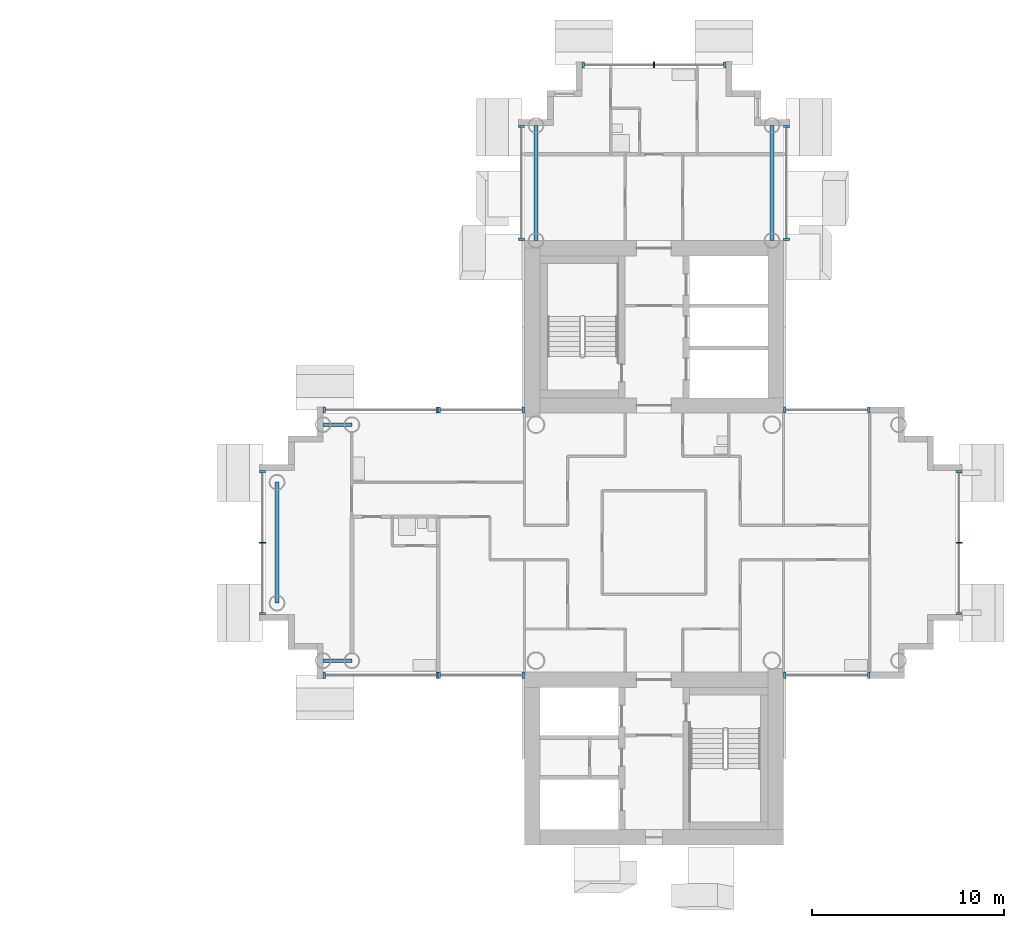
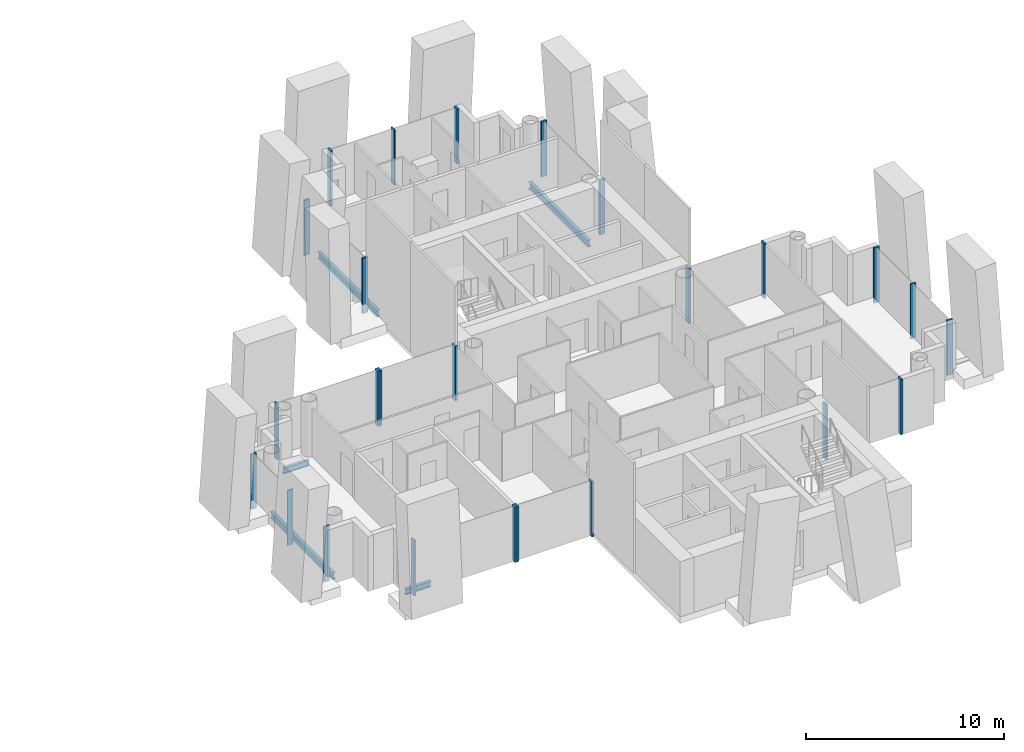
# One storey, part 4 of 19: 25 members, 5 beams, 11 elements without a shape of their own.
"""IFC4 building model written with IfcOpenShell, lengths in metres."""

from ifc_helpers import new_model, si_unit, direction, frame, origin, origin_2d, place, context, subcontext, project, spatial, rectangle, i_section, extrude, material, layer, layer_set, material_profile, profile_set, type_object, element, aggregate, save


model = new_model("IFC4")

# Units and contexts
model_context = context("Model", 3, precision=1e-05, world=origin(), true_north=direction((0.0, 1.0)))
body_context = subcontext(model_context, "Body", "Model", "MODEL_VIEW")
ifc_project = project(units=[si_unit("LENGTHUNIT", "METRE"), si_unit("AREAUNIT", "SQUARE_METRE"), si_unit("VOLUMEUNIT", "CUBIC_METRE"), si_unit("PLANEANGLEUNIT", "RADIAN"), si_unit("MASSUNIT", "GRAM", prefix="KILO")], contexts=[model_context])

# Site, building, storey
site_placement = place(None, origin())
site = spatial("IfcSite", under=ifc_project, at=site_placement, CompositionType="ELEMENT")
building_placement = place(site_placement, origin())
building = spatial("IfcBuilding", under=site, at=building_placement, Name="Ipe Terrace Towers", CompositionType="ELEMENT")
storey_placement = place(building_placement, frame((0.0, 0.0, 137.10009765625)))
storey = spatial("IfcBuildingStorey", under=building, at=storey_placement, Name="L37", CompositionType="ELEMENT", Elevation=137.10009765625)

# Beams
ifc_material_1 = material(Name="Steel S355", Category="steel")
ifc_material_profile_1 = material_profile(ifc_material_1, i_section(OverallWidth=0.175048828125, OverallDepth=0.35009765625, WebThickness=0.007080078125, FlangeThickness=0.010986328125, at=origin_2d()), Name="H-350x175x7x11")
ifc_profile_set_1 = profile_set([ifc_material_profile_1], Name="Steel S355")
beam_type_1 = type_object("IfcBeamType", Name="H04 EDGE BEAM H-350x175x7x11", PredefinedType="BEAM", material=ifc_profile_set_1)
for number, where, z_axis, x_axis, name in (
    (1, (20.25, 6.14990234375, -0.5751953125), (-1.0, 0.0, 0.0), (0.0, -1.0, 0.0), "Edge beam T2-EB-B03-B05"),
    (2, (20.25, -6.14990234375, -0.5751953125), (-1.0, 0.0, 0.0), (0.0, -1.0, 0.0), "Edge beam T2-EB-B04-B06"),
):
    element("IfcBeam", number, at=place(storey_placement, frame(where, z_axis=z_axis, x_axis=x_axis)), inside=storey, type_object=beam_type_1, Name=name, PredefinedType="BEAM", context=body_context, shape_type="SweptSolid", body=[
        extrude(i_section(OverallWidth=0.175048828125, OverallDepth=0.35009765625, WebThickness=0.007080078125, FlangeThickness=0.010986328125, at=origin_2d()), origin(), (0.0, 0.0, 1.0), 1.5),
    ])
ifc_material_2 = material(Name="Steel S355", Category="steel")
ifc_material_profile_2 = material_profile(ifc_material_2, i_section(OverallWidth=0.199951171875, OverallDepth=0.39990234375, WebThickness=0.008056640625, FlangeThickness=0.012939453125, at=origin_2d()), Name="H-400x200x8x13")
ifc_profile_set_2 = profile_set([ifc_material_profile_2], Name="Steel S355")
beam_type_2 = type_object("IfcBeamType", Name="H06 EDGE BEAM H-400x200x8x13", PredefinedType="BEAM", material=ifc_profile_set_2)
for number, where, z_axis, x_axis, name in (
    (3, (42.14990234375, 15.75, -0.60009765625), (0.0, 1.0, 0.0), (-1.0, 0.0, 0.0), "Edge beam T2-EB-A01-A03"),
    (4, (29.85009765625, 15.75, -0.60009765625), (0.0, 1.0, 0.0), (-1.0, 0.0, 0.0), "Edge beam T2-EB-A02-A04"),
):
    element("IfcBeam", number, at=place(storey_placement, frame(where, z_axis=z_axis, x_axis=x_axis)), inside=storey, type_object=beam_type_2, Name=name, PredefinedType="BEAM", context=body_context, shape_type="SweptSolid", body=[
        extrude(i_section(OverallWidth=0.199951171875, OverallDepth=0.39990234375, WebThickness=0.008056640625, FlangeThickness=0.012939453125, at=origin_2d()), origin(), (0.0, 0.0, 1.0), 6.0),
    ])
beam_placement = place(storey_placement, frame((16.35009765625, 3.14990234375, -0.60009765625), z_axis=(0.0, -1.0, 0.0), x_axis=(1.0, 0.0, 0.0)))
element("IfcBeam", 5, at=beam_placement, inside=storey, type_object=beam_type_2, Name="Edge beam T2-EB-B07-B08", PredefinedType="BEAM", context=body_context, shape_type="SweptSolid", body=[
    extrude(i_section(OverallWidth=0.199951171875, OverallDepth=0.39990234375, WebThickness=0.008056640625, FlangeThickness=0.012939453125, at=origin_2d()), origin(), (0.0, 0.0, 1.0), 6.2998046875),
])

# Curtain wall, members
ifc_material_3 = material(Name="Aluminium alloy 6063-T6", Category="aluminium")
ifc_layer = layer(ifc_material_3, 0.320068359375)
ifc_layer_set = layer_set([ifc_layer], Name="TOWER UNITISED CURTAIN WALL")
curtain_wall_type = type_object("IfcCurtainWallType", Name="TOWER UNITISED CURTAIN WALL", PredefinedType="NOTDEFINED", material=ifc_layer_set)
curtain_wall_1_placement = place(storey_placement, origin())
curtain_wall_1 = element("IfcCurtainWall", 6, at=curtain_wall_1_placement, inside=storey, type_object=curtain_wall_type, Name="T2-CW-L37-02a curtain wall", PredefinedType="NOTDEFINED")
ifc_material_4 = material(Name="Aluminium alloy 6063-T6", Category="aluminium")
ifc_material_profile_3 = material_profile(ifc_material_4, rectangle(XDim=0.320068359375, YDim=0.1201171875, at=origin_2d()), Name="TOWER UNITISED CORNER MULLION 320 x 120")
ifc_profile_set_3 = profile_set([ifc_material_profile_3], Name="Aluminium alloy 6063-T6")
member_type_1 = type_object("IfcMemberType", Name="TOWER UNITISED CORNER MULLION 320 x 120", PredefinedType="MULLION", material=ifc_profile_set_3)
member_1_placement = place(storey_placement, frame((42.81005859375, -6.909912109375, -0.300048828125), z_axis=(0.0, 0.0, 1.0), x_axis=(0.0, -1.0, 0.0)))
member_1 = element("IfcMember", 7, at=member_1_placement, type_object=member_type_1, Name="T2-CW-L37-02a mullion 1", PredefinedType="MULLION", context=body_context, shape_type="SweptSolid", body=[
    extrude(rectangle(XDim=0.320068359375, YDim=0.1201171875, at=origin_2d()), origin(), (0.0, 0.0, 1.0), 3.39990234375),
])
member_2_placement = place(storey_placement, frame((47.18994140625, -6.909912109375, -0.300048828125), z_axis=(0.0, 0.0, 1.0), x_axis=(0.0, -1.0, 0.0)))
member_2 = element("IfcMember", 8, at=member_2_placement, type_object=member_type_1, Name="T2-CW-L37-02a mullion 2", PredefinedType="MULLION", context=body_context, shape_type="SweptSolid", body=[
    extrude(rectangle(XDim=0.320068359375, YDim=0.1201171875, at=origin_2d()), origin(), (0.0, 0.0, 1.0), 3.39990234375),
])
aggregate(curtain_wall_1, [member_1, member_2])

curtain_wall_2_placement = place(storey_placement, origin())
curtain_wall_2 = element("IfcCurtainWall", 9, at=curtain_wall_2_placement, inside=storey, type_object=curtain_wall_type, Name="T2-CW-L37-08a curtain wall", PredefinedType="NOTDEFINED")
member_3_placement = place(storey_placement, frame((51.909912109375, -3.68994140625, -0.300048828125), z_axis=(0.0, 0.0, 1.0), x_axis=(1.0, 0.0, 0.0)))
member_3 = element("IfcMember", 10, at=member_3_placement, type_object=member_type_1, Name="T2-CW-L37-08a mullion 1", PredefinedType="MULLION", context=body_context, shape_type="SweptSolid", body=[
    extrude(rectangle(XDim=0.320068359375, YDim=0.1201171875, at=origin_2d()), origin(), (0.0, 0.0, 1.0), 3.39990234375),
])
member_4_placement = place(storey_placement, frame((51.909912109375, 3.68994140625, -0.300048828125), z_axis=(0.0, 0.0, 1.0), x_axis=(1.0, 0.0, 0.0)))
member_4 = element("IfcMember", 11, at=member_4_placement, type_object=member_type_1, Name="T2-CW-L37-08a mullion 3", PredefinedType="MULLION", context=body_context, shape_type="SweptSolid", body=[
    extrude(rectangle(XDim=0.320068359375, YDim=0.1201171875, at=origin_2d()), origin(), (0.0, 0.0, 1.0), 3.39990234375),
])

curtain_wall_3_placement = place(storey_placement, origin())
curtain_wall_3 = element("IfcCurtainWall", 12, at=curtain_wall_3_placement, inside=storey, type_object=curtain_wall_type, Name="T2-CW-L37-14a curtain wall", PredefinedType="NOTDEFINED")
member_5_placement = place(storey_placement, frame((47.18994140625, 6.909912109375, -0.300048828125), z_axis=(0.0, 0.0, 1.0), x_axis=(0.0, 1.0, 0.0)))
member_5 = element("IfcMember", 13, at=member_5_placement, type_object=member_type_1, Name="T2-CW-L37-14a mullion 1", PredefinedType="MULLION", context=body_context, shape_type="SweptSolid", body=[
    extrude(rectangle(XDim=0.320068359375, YDim=0.1201171875, at=origin_2d()), origin(), (0.0, 0.0, 1.0), 3.39990234375),
])
member_6_placement = place(storey_placement, frame((42.81005859375, 6.909912109375, -0.300048828125), z_axis=(0.0, 0.0, 1.0), x_axis=(0.0, 1.0, 0.0)))
member_6 = element("IfcMember", 14, at=member_6_placement, type_object=member_type_1, Name="T2-CW-L37-14a mullion 2", PredefinedType="MULLION", context=body_context, shape_type="SweptSolid", body=[
    extrude(rectangle(XDim=0.320068359375, YDim=0.1201171875, at=origin_2d()), origin(), (0.0, 0.0, 1.0), 3.39990234375),
])
aggregate(curtain_wall_3, [member_5, member_6])

curtain_wall_4_placement = place(storey_placement, origin())
curtain_wall_4 = element("IfcCurtainWall", 15, at=curtain_wall_4_placement, inside=storey, type_object=curtain_wall_type, Name="T2-CW-L37-16b curtain wall", PredefinedType="NOTDEFINED")
member_7_placement = place(storey_placement, frame((42.909912109375, 15.81103515625, -0.300048828125), z_axis=(0.0, 0.0, 1.0), x_axis=(1.0, 0.0, 0.0)))
member_7 = element("IfcMember", 16, at=member_7_placement, type_object=member_type_1, Name="T2-CW-L37-16b mullion 1", PredefinedType="MULLION", context=body_context, shape_type="SweptSolid", body=[
    extrude(rectangle(XDim=0.320068359375, YDim=0.1201171875, at=origin_2d()), origin(), (0.0, 0.0, 1.0), 3.39990234375),
])
member_8_placement = place(storey_placement, frame((42.909912109375, 21.68994140625, -0.300048828125), z_axis=(0.0, 0.0, 1.0), x_axis=(1.0, 0.0, 0.0)))
member_8 = element("IfcMember", 17, at=member_8_placement, type_object=member_type_1, Name="T2-CW-L37-16b mullion 2", PredefinedType="MULLION", context=body_context, shape_type="SweptSolid", body=[
    extrude(rectangle(XDim=0.320068359375, YDim=0.1201171875, at=origin_2d()), origin(), (0.0, 0.0, 1.0), 3.39990234375),
])
aggregate(curtain_wall_4, [member_7, member_8])

curtain_wall_5_placement = place(storey_placement, origin())
curtain_wall_5 = element("IfcCurtainWall", 18, at=curtain_wall_5_placement, inside=storey, type_object=curtain_wall_type, Name="T2-CW-L37-21a curtain wall", PredefinedType="NOTDEFINED")
member_9_placement = place(storey_placement, frame((39.68994140625, 24.909912109375, -0.300048828125), z_axis=(0.0, 0.0, 1.0), x_axis=(0.0, 1.0, 0.0)))
member_9 = element("IfcMember", 19, at=member_9_placement, type_object=member_type_1, Name="T2-CW-L37-21a mullion 1", PredefinedType="MULLION", context=body_context, shape_type="SweptSolid", body=[
    extrude(rectangle(XDim=0.320068359375, YDim=0.1201171875, at=origin_2d()), origin(), (0.0, 0.0, 1.0), 3.39990234375),
])
member_10_placement = place(storey_placement, frame((32.31005859375, 24.909912109375, -0.300048828125), z_axis=(0.0, 0.0, 1.0), x_axis=(0.0, 1.0, 0.0)))
member_10 = element("IfcMember", 20, at=member_10_placement, type_object=member_type_1, Name="T2-CW-L37-21a mullion 3", PredefinedType="MULLION", context=body_context, shape_type="SweptSolid", body=[
    extrude(rectangle(XDim=0.320068359375, YDim=0.1201171875, at=origin_2d()), origin(), (0.0, 0.0, 1.0), 3.39990234375),
])

curtain_wall_6_placement = place(storey_placement, origin())
curtain_wall_6 = element("IfcCurtainWall", 21, at=curtain_wall_6_placement, inside=storey, type_object=curtain_wall_type, Name="T2-CW-L37-26a curtain wall", PredefinedType="NOTDEFINED")
member_11_placement = place(storey_placement, frame((29.090087890625, 21.68994140625, -0.300048828125), z_axis=(0.0, 0.0, 1.0), x_axis=(-1.0, 0.0, 0.0)))
member_11 = element("IfcMember", 22, at=member_11_placement, type_object=member_type_1, Name="T2-CW-L37-26a mullion 1", PredefinedType="MULLION", context=body_context, shape_type="SweptSolid", body=[
    extrude(rectangle(XDim=0.320068359375, YDim=0.1201171875, at=origin_2d()), origin(), (0.0, 0.0, 1.0), 3.39990234375),
])
member_12_placement = place(storey_placement, frame((29.090087890625, 15.81103515625, -0.300048828125), z_axis=(0.0, 0.0, 1.0), x_axis=(-1.0, 0.0, 0.0)))
member_12 = element("IfcMember", 23, at=member_12_placement, type_object=member_type_1, Name="T2-CW-L37-26a mullion 2", PredefinedType="MULLION", context=body_context, shape_type="SweptSolid", body=[
    extrude(rectangle(XDim=0.320068359375, YDim=0.1201171875, at=origin_2d()), origin(), (0.0, 0.0, 1.0), 3.39990234375),
])
aggregate(curtain_wall_6, [member_11, member_12])

curtain_wall_7_placement = place(storey_placement, origin())
curtain_wall_7 = element("IfcCurtainWall", 24, at=curtain_wall_7_placement, inside=storey, type_object=curtain_wall_type, Name="T2-CW-L37-28a curtain wall", PredefinedType="NOTDEFINED")
member_13_placement = place(storey_placement, frame((29.18994140625, 6.909912109375, -0.300048828125), z_axis=(0.0, 0.0, 1.0), x_axis=(0.0, 1.0, 0.0)))
member_13 = element("IfcMember", 25, at=member_13_placement, type_object=member_type_1, Name="T2-CW-L37-28a mullion 1", PredefinedType="MULLION", context=body_context, shape_type="SweptSolid", body=[
    extrude(rectangle(XDim=0.320068359375, YDim=0.1201171875, at=origin_2d()), origin(), (0.0, 0.0, 1.0), 3.39990234375),
])
member_14_placement = place(storey_placement, frame((24.81005859375, 6.909912109375, -0.300048828125), z_axis=(0.0, 0.0, 1.0), x_axis=(0.0, 1.0, 0.0)))
member_14 = element("IfcMember", 26, at=member_14_placement, type_object=member_type_1, Name="T2-CW-L37-28a mullion 2", PredefinedType="MULLION", context=body_context, shape_type="SweptSolid", body=[
    extrude(rectangle(XDim=0.320068359375, YDim=0.1201171875, at=origin_2d()), origin(), (0.0, 0.0, 1.0), 3.39990234375),
])
aggregate(curtain_wall_7, [member_13, member_14])

curtain_wall_8_placement = place(storey_placement, origin())
curtain_wall_8 = element("IfcCurtainWall", 27, at=curtain_wall_8_placement, inside=storey, type_object=curtain_wall_type, Name="T2-CW-L37-29a curtain wall", PredefinedType="NOTDEFINED")
member_15_placement = place(storey_placement, frame((24.68994140625, 6.909912109375, -0.300048828125), z_axis=(0.0, 0.0, 1.0), x_axis=(0.0, 1.0, 0.0)))
member_15 = element("IfcMember", 28, at=member_15_placement, type_object=member_type_1, Name="T2-CW-L37-29a mullion 1", PredefinedType="MULLION", context=body_context, shape_type="SweptSolid", body=[
    extrude(rectangle(XDim=0.320068359375, YDim=0.1201171875, at=origin_2d()), origin(), (0.0, 0.0, 1.0), 3.39990234375),
])
member_16_placement = place(storey_placement, frame((18.81005859375, 6.909912109375, -0.300048828125), z_axis=(0.0, 0.0, 1.0), x_axis=(0.0, 1.0, 0.0)))
member_16 = element("IfcMember", 29, at=member_16_placement, type_object=member_type_1, Name="T2-CW-L37-29a mullion 2", PredefinedType="MULLION", context=body_context, shape_type="SweptSolid", body=[
    extrude(rectangle(XDim=0.320068359375, YDim=0.1201171875, at=origin_2d()), origin(), (0.0, 0.0, 1.0), 3.39990234375),
])
aggregate(curtain_wall_8, [member_15, member_16])

curtain_wall_9_placement = place(storey_placement, origin())
curtain_wall_9 = element("IfcCurtainWall", 30, at=curtain_wall_9_placement, inside=storey, type_object=curtain_wall_type, Name="T2-CW-L37-34a curtain wall", PredefinedType="NOTDEFINED")
member_17_placement = place(storey_placement, frame((15.590087890625, 3.68994140625, -0.300048828125), z_axis=(0.0, 0.0, 1.0), x_axis=(-1.0, 0.0, 0.0)))
member_17 = element("IfcMember", 31, at=member_17_placement, type_object=member_type_1, Name="T2-CW-L37-34a mullion 1", PredefinedType="MULLION", context=body_context, shape_type="SweptSolid", body=[
    extrude(rectangle(XDim=0.320068359375, YDim=0.1201171875, at=origin_2d()), origin(), (0.0, 0.0, 1.0), 3.39990234375),
])
member_18_placement = place(storey_placement, frame((15.590087890625, -3.68994140625, -0.300048828125), z_axis=(0.0, 0.0, 1.0), x_axis=(-1.0, 0.0, 0.0)))
member_18 = element("IfcMember", 32, at=member_18_placement, type_object=member_type_1, Name="T2-CW-L37-34a mullion 3", PredefinedType="MULLION", context=body_context, shape_type="SweptSolid", body=[
    extrude(rectangle(XDim=0.320068359375, YDim=0.1201171875, at=origin_2d()), origin(), (0.0, 0.0, 1.0), 3.39990234375),
])

curtain_wall_10_placement = place(storey_placement, origin())
curtain_wall_10 = element("IfcCurtainWall", 33, at=curtain_wall_10_placement, inside=storey, type_object=curtain_wall_type, Name="T2-CW-L37-39a curtain wall", PredefinedType="NOTDEFINED")
member_19_placement = place(storey_placement, frame((18.81005859375, -6.909912109375, -0.300048828125), z_axis=(0.0, 0.0, 1.0), x_axis=(0.0, -1.0, 0.0)))
member_19 = element("IfcMember", 34, at=member_19_placement, type_object=member_type_1, Name="T2-CW-L37-39a mullion 1", PredefinedType="MULLION", context=body_context, shape_type="SweptSolid", body=[
    extrude(rectangle(XDim=0.320068359375, YDim=0.1201171875, at=origin_2d()), origin(), (0.0, 0.0, 1.0), 3.39990234375),
])
member_20_placement = place(storey_placement, frame((24.68994140625, -6.909912109375, -0.300048828125), z_axis=(0.0, 0.0, 1.0), x_axis=(0.0, -1.0, 0.0)))
member_20 = element("IfcMember", 35, at=member_20_placement, type_object=member_type_1, Name="T2-CW-L37-39a mullion 2", PredefinedType="MULLION", context=body_context, shape_type="SweptSolid", body=[
    extrude(rectangle(XDim=0.320068359375, YDim=0.1201171875, at=origin_2d()), origin(), (0.0, 0.0, 1.0), 3.39990234375),
])
aggregate(curtain_wall_10, [member_19, member_20])

curtain_wall_11_placement = place(storey_placement, origin())
curtain_wall_11 = element("IfcCurtainWall", 36, at=curtain_wall_11_placement, inside=storey, type_object=curtain_wall_type, Name="T2-CW-L37-40a curtain wall", PredefinedType="NOTDEFINED")
member_21_placement = place(storey_placement, frame((24.81005859375, -6.909912109375, -0.300048828125), z_axis=(0.0, 0.0, 1.0), x_axis=(0.0, -1.0, 0.0)))
member_21 = element("IfcMember", 37, at=member_21_placement, type_object=member_type_1, Name="T2-CW-L37-40a mullion 1", PredefinedType="MULLION", context=body_context, shape_type="SweptSolid", body=[
    extrude(rectangle(XDim=0.320068359375, YDim=0.1201171875, at=origin_2d()), origin(), (0.0, 0.0, 1.0), 3.39990234375),
])
member_22_placement = place(storey_placement, frame((29.18994140625, -6.909912109375, -0.300048828125), z_axis=(0.0, 0.0, 1.0), x_axis=(0.0, -1.0, 0.0)))
member_22 = element("IfcMember", 38, at=member_22_placement, type_object=member_type_1, Name="T2-CW-L37-40a mullion 2", PredefinedType="MULLION", context=body_context, shape_type="SweptSolid", body=[
    extrude(rectangle(XDim=0.320068359375, YDim=0.1201171875, at=origin_2d()), origin(), (0.0, 0.0, 1.0), 3.39990234375),
])
aggregate(curtain_wall_11, [member_21, member_22])

# Member
ifc_material_5 = material(Name="Aluminium alloy 6063-T6", Category="aluminium")
ifc_material_profile_4 = material_profile(ifc_material_5, rectangle(XDim=0.320068359375, YDim=0.06494140625, at=origin_2d()), Name="TOWER UNITISED MULLION 320 x 65")
ifc_profile_set_4 = profile_set([ifc_material_profile_4], Name="Aluminium alloy 6063-T6")
member_type_2 = type_object("IfcMemberType", Name="TOWER UNITISED MULLION 320 x 65", PredefinedType="MULLION", material=ifc_profile_set_4)
member_23_placement = place(storey_placement, frame((51.909912109375, 0.0, -0.300048828125), z_axis=(0.0, 0.0, 1.0), x_axis=(1.0, 0.0, 0.0)))
member_23 = element("IfcMember", 39, at=member_23_placement, type_object=member_type_2, Name="T2-CW-L37-08a mullion 2", PredefinedType="MULLION", context=body_context, shape_type="SweptSolid", body=[
    extrude(rectangle(XDim=0.320068359375, YDim=0.06494140625, at=origin_2d()), origin(), (0.0, 0.0, 1.0), 3.39990234375),
])

aggregate(curtain_wall_2, [member_3, member_23, member_4])

member_24_placement = place(storey_placement, frame((36.0, 24.909912109375, -0.300048828125), z_axis=(0.0, 0.0, 1.0), x_axis=(0.0, 1.0, 0.0)))
member_24 = element("IfcMember", 40, at=member_24_placement, type_object=member_type_2, Name="T2-CW-L37-21a mullion 2", PredefinedType="MULLION", context=body_context, shape_type="SweptSolid", body=[
    extrude(rectangle(XDim=0.320068359375, YDim=0.06494140625, at=origin_2d()), origin(), (0.0, 0.0, 1.0), 3.39990234375),
])

aggregate(curtain_wall_5, [member_9, member_24, member_10])

member_25_placement = place(storey_placement, frame((15.590087890625, 0.0, -0.300048828125), z_axis=(0.0, 0.0, 1.0), x_axis=(-1.0, 0.0, 0.0)))
member_25 = element("IfcMember", 41, at=member_25_placement, type_object=member_type_2, Name="T2-CW-L37-34a mullion 2", PredefinedType="MULLION", context=body_context, shape_type="SweptSolid", body=[
    extrude(rectangle(XDim=0.320068359375, YDim=0.06494140625, at=origin_2d()), origin(), (0.0, 0.0, 1.0), 3.39990234375),
])

aggregate(curtain_wall_9, [member_17, member_25, member_18])

save(model, "model.ifc")
